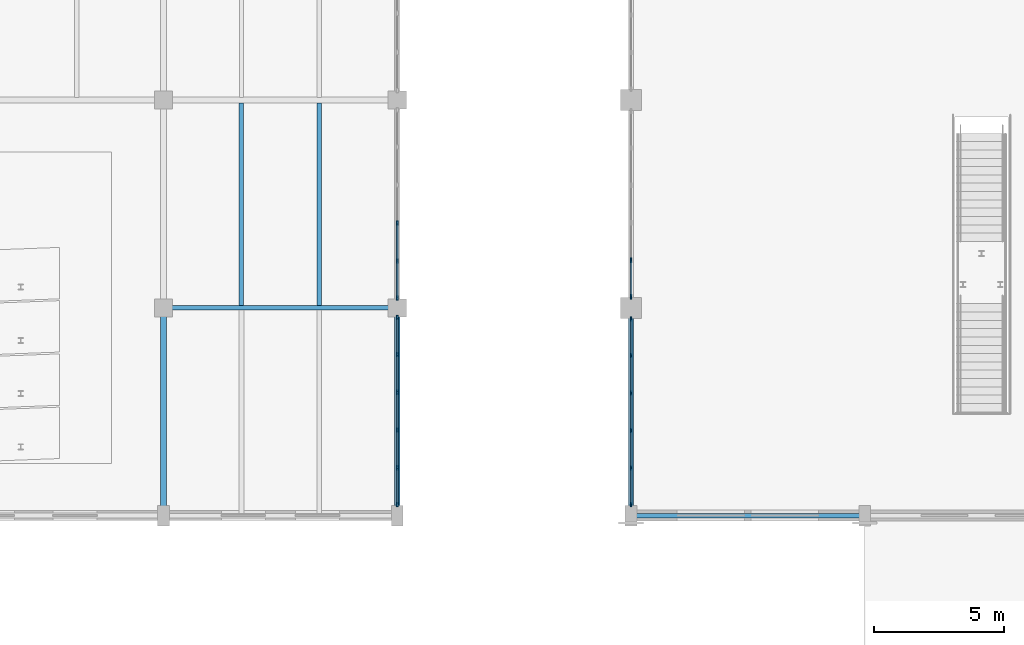
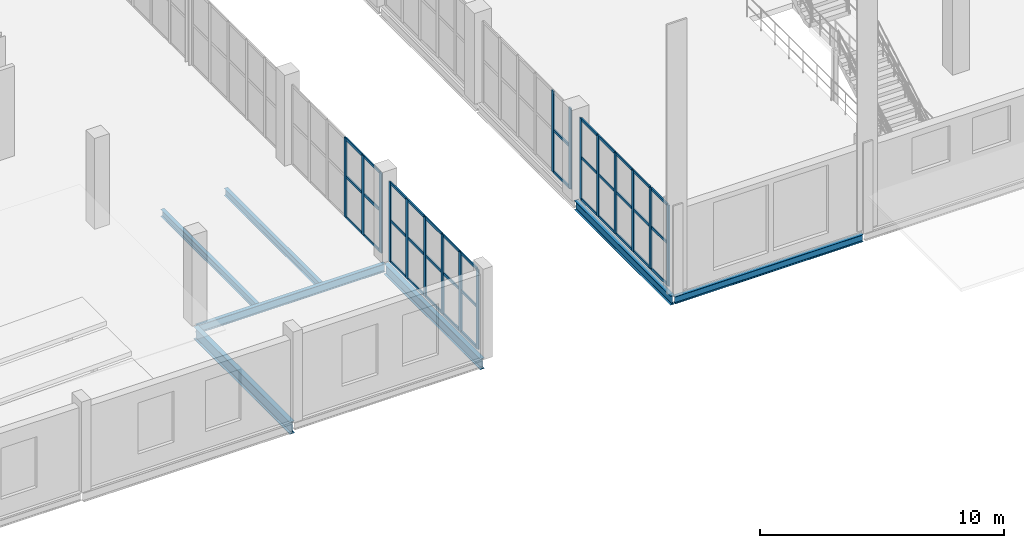
# One storey, part 23 of 93: 55 members, 7 beams, 4 elements without a shape of their own.
"""IFC4 building model written with IfcOpenShell, lengths in metres."""

from ifc_helpers import new_model, si_unit, direction, frame, origin, origin_2d, place, context, subcontext, project, spatial, rectangle, i_section, extrude, material, layer, layer_set, material_profile, profile_set, type_object, element, aggregate, save


model = new_model("IFC4")

# Units and contexts
model_context = context("Model", 3, precision=1e-05, world=origin(), true_north=direction((0.0, 1.0)))
body_context = subcontext(model_context, "Body", "Model", "MODEL_VIEW")
ifc_project = project(units=[si_unit("LENGTHUNIT", "METRE"), si_unit("AREAUNIT", "SQUARE_METRE"), si_unit("VOLUMEUNIT", "CUBIC_METRE"), si_unit("PLANEANGLEUNIT", "RADIAN"), si_unit("MASSUNIT", "GRAM", prefix="KILO")], contexts=[model_context])

# Site, building, storey
site_placement = place(None, origin())
site = spatial("IfcSite", under=ifc_project, at=site_placement, CompositionType="ELEMENT")
building_placement = place(site_placement, origin())
building = spatial("IfcBuilding", under=site, at=building_placement, Name="Marnock Terrace Opera House", CompositionType="ELEMENT")
storey_placement = place(building_placement, frame((0.0, 0.0, 5.39990234375)))
storey = spatial("IfcBuildingStorey", under=building, at=storey_placement, Name="L01", CompositionType="ELEMENT", Elevation=5.39990234375)

# Beams
ifc_material_1 = material(Name="Steel Grade 350 (AS/NZS 3679.1)", Category="steel")
ifc_material_profile_1 = material_profile(ifc_material_1, i_section(OverallWidth=0.177978515625, OverallDepth=0.402587890625, WebThickness=0.007568359375, FlangeThickness=0.010986328125, FilletRadius=0.011474609375, at=origin_2d()))
ifc_profile_set_1 = profile_set([ifc_material_profile_1], Name="Steel Grade 350 (AS/NZS 3679.1)")
beam_type_1 = type_object("IfcBeamType", Name="BM-GIRD-410", PredefinedType="BEAM", material=ifc_profile_set_1)
beam_1_placement = place(storey_placement, frame((37.050048828125, 16.0, -0.481201171875), z_axis=(1.0, 0.0, 0.0), x_axis=(0.0, 1.0, 0.0)))
element("IfcBeam", 1, at=beam_1_placement, inside=storey, type_object=beam_type_1, Name="L01 girder (37.0..46.0, Y=16.0)", PredefinedType="BEAM", context=body_context, shape_type="SweptSolid", body=[
    extrude(i_section(OverallWidth=0.177978515625, OverallDepth=0.402587890625, WebThickness=0.007568359375, FlangeThickness=0.010986328125, FilletRadius=0.011474609375, at=origin_2d()), origin(), (0.0, 0.0, 1.0), 8.89990234375),
])
ifc_material_profile_2 = material_profile(ifc_material_1, i_section(OverallWidth=0.18994140625, OverallDepth=0.45751953125, WebThickness=0.009033203125, FlangeThickness=0.014404296875, FilletRadius=0.011474609375, at=origin_2d()))
ifc_profile_set_2 = profile_set([ifc_material_profile_2], Name="Steel Grade 350 (AS/NZS 3679.1)")
beam_type_2 = type_object("IfcBeamType", Name="BM-GIRD-460B", PredefinedType="BEAM", material=ifc_profile_set_2)
beam_2_placement = place(storey_placement, frame((55.0, 8.050048828125, -0.508544921875), z_axis=(0.0, 1.0, 0.0), x_axis=(-1.0, 0.0, 0.0)))
element("IfcBeam", 2, at=beam_2_placement, inside=storey, type_object=beam_type_2, Name="L01 girder (X=55.0, 8.0..16.0)", PredefinedType="BEAM", context=body_context, shape_type="SweptSolid", body=[
    extrude(i_section(OverallWidth=0.18994140625, OverallDepth=0.45751953125, WebThickness=0.009033203125, FlangeThickness=0.014404296875, FilletRadius=0.011474609375, at=origin_2d()), origin(), (0.0, 0.0, 1.0), 7.89990234375),
])
ifc_material_profile_3 = material_profile(ifc_material_1, i_section(OverallWidth=0.208984375, OverallDepth=0.528076171875, WebThickness=0.009521484375, FlangeThickness=0.01318359375, FilletRadius=0.013916015625, at=origin_2d()))
ifc_profile_set_3 = profile_set([ifc_material_profile_3], Name="Steel Grade 350 (AS/NZS 3679.1)")
beam_type_3 = type_object("IfcBeamType", Name="BM-GIRD-530B", PredefinedType="BEAM", material=ifc_profile_set_3)
beam_3_placement = place(storey_placement, frame((46.0, 8.050048828125, -0.5439453125), z_axis=(0.0, 1.0, 0.0), x_axis=(-1.0, 0.0, 0.0)))
element("IfcBeam", 3, at=beam_3_placement, inside=storey, type_object=beam_type_3, Name="L01 girder (X=46.0, 8.0..16.0)", PredefinedType="BEAM", context=body_context, shape_type="SweptSolid", body=[
    extrude(i_section(OverallWidth=0.208984375, OverallDepth=0.528076171875, WebThickness=0.009521484375, FlangeThickness=0.01318359375, FilletRadius=0.013916015625, at=origin_2d()), origin(), (0.0, 0.0, 1.0), 7.89990234375),
])
ifc_material_profile_4 = material_profile(ifc_material_1, i_section(OverallWidth=0.22802734375, OverallDepth=0.60205078125, WebThickness=0.010498046875, FlangeThickness=0.014892578125, FilletRadius=0.013916015625, at=origin_2d()))
ifc_profile_set_4 = profile_set([ifc_material_profile_4], Name="Steel Grade 350 (AS/NZS 3679.1)")
beam_type_4 = type_object("IfcBeamType", Name="BM-GIRD-610C", PredefinedType="BEAM", material=ifc_profile_set_4)
beam_4_placement = place(storey_placement, frame((37.0, 8.050048828125, -0.580810546875), z_axis=(0.0, 1.0, 0.0), x_axis=(-1.0, 0.0, 0.0)))
element("IfcBeam", 4, at=beam_4_placement, inside=storey, type_object=beam_type_4, Name="L01 girder (X=37.0, 8.0..16.0)", PredefinedType="BEAM", context=body_context, shape_type="SweptSolid", body=[
    extrude(i_section(OverallWidth=0.22802734375, OverallDepth=0.60205078125, WebThickness=0.010498046875, FlangeThickness=0.014892578125, FilletRadius=0.013916015625, at=origin_2d()), origin(), (0.0, 0.0, 1.0), 7.89990234375),
])
ifc_material_profile_5 = material_profile(ifc_material_1, i_section(OverallWidth=0.172119140625, OverallDepth=0.358642578125, WebThickness=0.008056640625, FlangeThickness=0.012939453125, FilletRadius=0.011474609375, at=origin_2d()))
ifc_profile_set_5 = profile_set([ifc_material_profile_5], Name="Steel Grade 350 (AS/NZS 3679.1)")
beam_type_5 = type_object("IfcBeamType", Name="BM-JOIST-360", PredefinedType="JOIST", material=ifc_profile_set_5)
for number, where, z_axis, x_axis, name in (
    (5, (40.0, 16.083984375, -0.459228515625), (0.0, 1.0, 0.0), (-1.0, 0.0, 0.0), "L01 secondary joist 4.2.1"),
    (6, (43.0, 16.083984375, -0.459228515625), (0.0, 1.0, 0.0), (-1.0, 0.0, 0.0), "L01 secondary joist 4.2.2"),
):
    element("IfcBeam", number, at=place(storey_placement, frame(where, z_axis=z_axis, x_axis=x_axis)), inside=storey, type_object=beam_type_5, Name=name, PredefinedType="JOIST", context=body_context, shape_type="SweptSolid", body=[
        extrude(i_section(OverallWidth=0.172119140625, OverallDepth=0.358642578125, WebThickness=0.008056640625, FlangeThickness=0.012939453125, FilletRadius=0.011474609375, at=origin_2d()), origin(), (0.0, 0.0, 1.0), 7.806396484375),
    ])
ifc_material_profile_6 = material_profile(ifc_material_1, i_section(OverallWidth=0.172119140625, OverallDepth=0.358642578125, WebThickness=0.008056640625, FlangeThickness=0.012939453125, FilletRadius=0.011474609375, at=origin_2d()))
ifc_profile_set_6 = profile_set([ifc_material_profile_6], Name="Steel Grade 350 (AS/NZS 3679.1)")
beam_type_6 = type_object("IfcBeamType", Name="BM-SPAN-360", PredefinedType="SPANDREL", material=ifc_profile_set_6)
beam_5_placement = place(storey_placement, frame((55.050048828125, 8.0, -0.459228515625), z_axis=(1.0, 0.0, 0.0), x_axis=(0.0, 1.0, 0.0)))
element("IfcBeam", 7, at=beam_5_placement, inside=storey, type_object=beam_type_6, Name="L01 girder (55.0..64.0, Y=8.0)", PredefinedType="SPANDREL", context=body_context, shape_type="SweptSolid", body=[
    extrude(i_section(OverallWidth=0.172119140625, OverallDepth=0.358642578125, WebThickness=0.008056640625, FlangeThickness=0.012939453125, FilletRadius=0.011474609375, at=origin_2d()), origin(), (0.0, 0.0, 1.0), 8.89990234375),
])

# Curtain wall, members
ifc_material_2 = material(Name="Anodised architectural bronze aluminium framing", Category="aluminium")
ifc_layer_1 = layer(ifc_material_2, 0.159912109375)
ifc_layer_set_1 = layer_set([ifc_layer_1], Name="Anodised architectural bronze aluminium framing")
curtain_wall_type_1 = type_object("IfcCurtainWallType", Name="CW-FOYER-80x45", PredefinedType="NOTDEFINED", material=ifc_layer_set_1)
curtain_wall_1_placement = place(storey_placement, origin())
curtain_wall_1 = element("IfcCurtainWall", 8, at=curtain_wall_1_placement, inside=storey, type_object=curtain_wall_type_1, Name="L01 glazed Beaux-Arts colonnade curtain wall CW-V1W-L01-01", PredefinedType="NOTDEFINED")
ifc_material_profile_7 = material_profile(ifc_material_2, rectangle(XDim=0.06494140625, YDim=0.179931640625, at=origin_2d()))
ifc_profile_set_7 = profile_set([ifc_material_profile_7], Name="Anodised architectural bronze aluminium framing")
member_type_1 = type_object("IfcMemberType", Name="CWM-65x180", PredefinedType="MULLION", material=ifc_profile_set_7)
member_1_placement = place(storey_placement, frame((55.0, 8.426025390625, 0.0), z_axis=(0.0, 0.0, 1.0), x_axis=(-1.0, 0.0, 0.0)))
member_1 = element("IfcMember", 9, at=member_1_placement, type_object=member_type_1, Name="CW-87 mullion 1", PredefinedType="MULLION", context=body_context, shape_type="SweptSolid", body=[
    extrude(rectangle(XDim=0.06494140625, YDim=0.179931640625, at=origin_2d()), origin(), (0.0, 0.0, 1.0), 4.052734375),
])
member_2_placement = place(storey_placement, frame((55.0, 9.837646484375, 0.0), z_axis=(0.0, 0.0, 1.0), x_axis=(-1.0, 0.0, 0.0)))
member_2 = element("IfcMember", 10, at=member_2_placement, type_object=member_type_1, Name="CW-87 mullion 2", PredefinedType="MULLION", context=body_context, shape_type="SweptSolid", body=[
    extrude(rectangle(XDim=0.06494140625, YDim=0.179931640625, at=origin_2d()), origin(), (0.0, 0.0, 1.0), 4.052734375),
])
member_3_placement = place(storey_placement, frame((55.0, 11.279296875, 0.0), z_axis=(0.0, 0.0, 1.0), x_axis=(-1.0, 0.0, 0.0)))
member_3 = element("IfcMember", 11, at=member_3_placement, type_object=member_type_1, Name="CW-87 mullion 3", PredefinedType="MULLION", context=body_context, shape_type="SweptSolid", body=[
    extrude(rectangle(XDim=0.06494140625, YDim=0.179931640625, at=origin_2d()), origin(), (0.0, 0.0, 1.0), 4.052734375),
])
member_4_placement = place(storey_placement, frame((55.0, 12.720703125, 0.0), z_axis=(0.0, 0.0, 1.0), x_axis=(-1.0, 0.0, 0.0)))
member_4 = element("IfcMember", 12, at=member_4_placement, type_object=member_type_1, Name="CW-87 mullion 4", PredefinedType="MULLION", context=body_context, shape_type="SweptSolid", body=[
    extrude(rectangle(XDim=0.06494140625, YDim=0.179931640625, at=origin_2d()), origin(), (0.0, 0.0, 1.0), 4.052734375),
])
member_5_placement = place(storey_placement, frame((55.0, 14.162353515625, 0.0), z_axis=(0.0, 0.0, 1.0), x_axis=(-1.0, 0.0, 0.0)))
member_5 = element("IfcMember", 13, at=member_5_placement, type_object=member_type_1, Name="CW-87 mullion 5", PredefinedType="MULLION", context=body_context, shape_type="SweptSolid", body=[
    extrude(rectangle(XDim=0.06494140625, YDim=0.179931640625, at=origin_2d()), origin(), (0.0, 0.0, 1.0), 4.052734375),
])
member_6_placement = place(storey_placement, frame((55.0, 15.573974609375, 0.0), z_axis=(0.0, 0.0, 1.0), x_axis=(-1.0, 0.0, 0.0)))
member_6 = element("IfcMember", 14, at=member_6_placement, type_object=member_type_1, Name="CW-87 mullion 6", PredefinedType="MULLION", context=body_context, shape_type="SweptSolid", body=[
    extrude(rectangle(XDim=0.06494140625, YDim=0.179931640625, at=origin_2d()), origin(), (0.0, 0.0, 1.0), 4.052734375),
])

curtain_wall_2_placement = place(storey_placement, origin())
curtain_wall_2 = element("IfcCurtainWall", 15, at=curtain_wall_2_placement, inside=storey, type_object=curtain_wall_type_1, Name="L01 glazed Beaux-Arts colonnade curtain wall CW-V1W-L01-02", PredefinedType="NOTDEFINED")
member_7_placement = place(storey_placement, frame((55.0, 16.426025390625, 0.0), z_axis=(0.0, 0.0, 1.0), x_axis=(-1.0, 0.0, 0.0)))
member_7 = element("IfcMember", 16, at=member_7_placement, type_object=member_type_1, Name="CW-87 mullion 1", PredefinedType="MULLION", context=body_context, shape_type="SweptSolid", body=[
    extrude(rectangle(XDim=0.06494140625, YDim=0.179931640625, at=origin_2d()), origin(), (0.0, 0.0, 1.0), 4.052734375),
])
member_8_placement = place(storey_placement, frame((55.0, 17.837646484375, 0.0), z_axis=(0.0, 0.0, 1.0), x_axis=(-1.0, 0.0, 0.0)))
member_8 = element("IfcMember", 17, at=member_8_placement, type_object=member_type_1, Name="CW-87 mullion 2", PredefinedType="MULLION", context=body_context, shape_type="SweptSolid", body=[
    extrude(rectangle(XDim=0.06494140625, YDim=0.179931640625, at=origin_2d()), origin(), (0.0, 0.0, 1.0), 4.052734375),
])

ifc_layer_2 = layer(ifc_material_2, 0.159912109375)
ifc_layer_set_2 = layer_set([ifc_layer_2], Name="Anodised architectural bronze aluminium framing")
curtain_wall_type_2 = type_object("IfcCurtainWallType", Name="CW-COURT-80x45", PredefinedType="NOTDEFINED", material=ifc_layer_set_2)
curtain_wall_3_placement = place(storey_placement, origin())
curtain_wall_3 = element("IfcCurtainWall", 18, at=curtain_wall_3_placement, inside=storey, type_object=curtain_wall_type_2, Name="L01 glazed Beaux-Arts colonnade curtain wall CW-V3E-L01-01", PredefinedType="NOTDEFINED")
member_9_placement = place(storey_placement, frame((46.0, 8.426025390625, 0.0), z_axis=(0.0, 0.0, 1.0), x_axis=(-1.0, 0.0, 0.0)))
member_9 = element("IfcMember", 19, at=member_9_placement, type_object=member_type_1, Name="CW-67 mullion 1", PredefinedType="MULLION", context=body_context, shape_type="SweptSolid", body=[
    extrude(rectangle(XDim=0.06494140625, YDim=0.179931640625, at=origin_2d()), origin(), (0.0, 0.0, 1.0), 3.982177734375),
])
member_10_placement = place(storey_placement, frame((46.0, 9.84765625, 0.0), z_axis=(0.0, 0.0, 1.0), x_axis=(-1.0, 0.0, 0.0)))
member_10 = element("IfcMember", 20, at=member_10_placement, type_object=member_type_1, Name="CW-67 mullion 2", PredefinedType="MULLION", context=body_context, shape_type="SweptSolid", body=[
    extrude(rectangle(XDim=0.06494140625, YDim=0.179931640625, at=origin_2d()), origin(), (0.0, 0.0, 1.0), 3.982177734375),
])
member_11_placement = place(storey_placement, frame((46.0, 11.29931640625, 0.0), z_axis=(0.0, 0.0, 1.0), x_axis=(-1.0, 0.0, 0.0)))
member_11 = element("IfcMember", 21, at=member_11_placement, type_object=member_type_1, Name="CW-67 mullion 3", PredefinedType="MULLION", context=body_context, shape_type="SweptSolid", body=[
    extrude(rectangle(XDim=0.06494140625, YDim=0.179931640625, at=origin_2d()), origin(), (0.0, 0.0, 1.0), 3.982177734375),
])
member_12_placement = place(storey_placement, frame((46.0, 12.750732421875, 0.0), z_axis=(0.0, 0.0, 1.0), x_axis=(-1.0, 0.0, 0.0)))
member_12 = element("IfcMember", 22, at=member_12_placement, type_object=member_type_1, Name="CW-67 mullion 4", PredefinedType="MULLION", context=body_context, shape_type="SweptSolid", body=[
    extrude(rectangle(XDim=0.06494140625, YDim=0.179931640625, at=origin_2d()), origin(), (0.0, 0.0, 1.0), 3.982177734375),
])
member_13_placement = place(storey_placement, frame((46.0, 14.202392578125, 0.0), z_axis=(0.0, 0.0, 1.0), x_axis=(-1.0, 0.0, 0.0)))
member_13 = element("IfcMember", 23, at=member_13_placement, type_object=member_type_1, Name="CW-67 mullion 5", PredefinedType="MULLION", context=body_context, shape_type="SweptSolid", body=[
    extrude(rectangle(XDim=0.06494140625, YDim=0.179931640625, at=origin_2d()), origin(), (0.0, 0.0, 1.0), 3.982177734375),
])
member_14_placement = place(storey_placement, frame((46.0, 15.6240234375, 0.0), z_axis=(0.0, 0.0, 1.0), x_axis=(-1.0, 0.0, 0.0)))
member_14 = element("IfcMember", 24, at=member_14_placement, type_object=member_type_1, Name="CW-67 mullion 6", PredefinedType="MULLION", context=body_context, shape_type="SweptSolid", body=[
    extrude(rectangle(XDim=0.06494140625, YDim=0.179931640625, at=origin_2d()), origin(), (0.0, 0.0, 1.0), 3.982177734375),
])

curtain_wall_4_placement = place(storey_placement, origin())
curtain_wall_4 = element("IfcCurtainWall", 25, at=curtain_wall_4_placement, inside=storey, type_object=curtain_wall_type_2, Name="L01 glazed Beaux-Arts colonnade curtain wall CW-V3E-L01-02", PredefinedType="NOTDEFINED")
member_15_placement = place(storey_placement, frame((46.0, 16.3759765625, 0.0), z_axis=(0.0, 0.0, 1.0), x_axis=(-1.0, 0.0, 0.0)))
member_15 = element("IfcMember", 26, at=member_15_placement, type_object=member_type_1, Name="CW-67 mullion 1", PredefinedType="MULLION", context=body_context, shape_type="SweptSolid", body=[
    extrude(rectangle(XDim=0.06494140625, YDim=0.179931640625, at=origin_2d()), origin(), (0.0, 0.0, 1.0), 3.982177734375),
])
member_16_placement = place(storey_placement, frame((46.0, 17.8076171875, 0.0), z_axis=(0.0, 0.0, 1.0), x_axis=(-1.0, 0.0, 0.0)))
member_16 = element("IfcMember", 27, at=member_16_placement, type_object=member_type_1, Name="CW-67 mullion 2", PredefinedType="MULLION", context=body_context, shape_type="SweptSolid", body=[
    extrude(rectangle(XDim=0.06494140625, YDim=0.179931640625, at=origin_2d()), origin(), (0.0, 0.0, 1.0), 3.982177734375),
])
member_17_placement = place(storey_placement, frame((46.0, 19.269287109375, 0.0), z_axis=(0.0, 0.0, 1.0), x_axis=(-1.0, 0.0, 0.0)))
member_17 = element("IfcMember", 28, at=member_17_placement, type_object=member_type_1, Name="CW-67 mullion 3", PredefinedType="MULLION", context=body_context, shape_type="SweptSolid", body=[
    extrude(rectangle(XDim=0.06494140625, YDim=0.179931640625, at=origin_2d()), origin(), (0.0, 0.0, 1.0), 3.982177734375),
])

# Member
ifc_material_profile_8 = material_profile(ifc_material_2, rectangle(XDim=0.06005859375, YDim=0.1298828125, at=origin_2d()))
ifc_profile_set_8 = profile_set([ifc_material_profile_8], Name="Anodised architectural bronze aluminium framing")
member_type_2 = type_object("IfcMemberType", Name="CWT-60x130", PredefinedType="USERDEFINED", material=ifc_profile_set_8)
member_18_placement = place(storey_placement, frame((55.0, 8.4560546875, 0.030029296875), z_axis=(0.0, 1.0, 0.0), x_axis=(-1.0, 0.0, 0.0)))
member_18 = element("IfcMember", 29, at=member_18_placement, type_object=member_type_2, Name="CW-87 transom 1.1", ObjectType="TRANSOM", PredefinedType="USERDEFINED", context=body_context, shape_type="SweptSolid", body=[
    extrude(rectangle(XDim=0.06005859375, YDim=0.1298828125, at=origin_2d()), origin(), (0.0, 0.0, 1.0), 1.3515625),
])

member_19_placement = place(storey_placement, frame((55.0, 8.4560546875, 2.107421875), z_axis=(0.0, 1.0, 0.0), x_axis=(-1.0, 0.0, 0.0)))
member_19 = element("IfcMember", 30, at=member_19_placement, type_object=member_type_2, Name="CW-87 transom 1.2", ObjectType="TRANSOM", PredefinedType="USERDEFINED", context=body_context, shape_type="SweptSolid", body=[
    extrude(rectangle(XDim=0.06005859375, YDim=0.1298828125, at=origin_2d()), origin(), (0.0, 0.0, 1.0), 1.3515625),
])

member_20_placement = place(storey_placement, frame((55.0, 8.4560546875, 4.022705078125), z_axis=(0.0, 1.0, 0.0), x_axis=(-1.0, 0.0, 0.0)))
member_20 = element("IfcMember", 31, at=member_20_placement, type_object=member_type_2, Name="CW-87 transom 1.3", ObjectType="TRANSOM", PredefinedType="USERDEFINED", context=body_context, shape_type="SweptSolid", body=[
    extrude(rectangle(XDim=0.06005859375, YDim=0.1298828125, at=origin_2d()), origin(), (0.0, 0.0, 1.0), 1.3515625),
])

member_21_placement = place(storey_placement, frame((55.0, 9.86767578125, 0.030029296875), z_axis=(0.0, 1.0, 0.0), x_axis=(-1.0, 0.0, 0.0)))
member_21 = element("IfcMember", 32, at=member_21_placement, type_object=member_type_2, Name="CW-87 transom 2.1", ObjectType="TRANSOM", PredefinedType="USERDEFINED", context=body_context, shape_type="SweptSolid", body=[
    extrude(rectangle(XDim=0.06005859375, YDim=0.1298828125, at=origin_2d()), origin(), (0.0, 0.0, 1.0), 1.381591796875),
])

member_22_placement = place(storey_placement, frame((55.0, 9.86767578125, 2.107421875), z_axis=(0.0, 1.0, 0.0), x_axis=(-1.0, 0.0, 0.0)))
member_22 = element("IfcMember", 33, at=member_22_placement, type_object=member_type_2, Name="CW-87 transom 2.2", ObjectType="TRANSOM", PredefinedType="USERDEFINED", context=body_context, shape_type="SweptSolid", body=[
    extrude(rectangle(XDim=0.06005859375, YDim=0.1298828125, at=origin_2d()), origin(), (0.0, 0.0, 1.0), 1.381591796875),
])

member_23_placement = place(storey_placement, frame((55.0, 9.86767578125, 4.022705078125), z_axis=(0.0, 1.0, 0.0), x_axis=(-1.0, 0.0, 0.0)))
member_23 = element("IfcMember", 34, at=member_23_placement, type_object=member_type_2, Name="CW-87 transom 2.3", ObjectType="TRANSOM", PredefinedType="USERDEFINED", context=body_context, shape_type="SweptSolid", body=[
    extrude(rectangle(XDim=0.06005859375, YDim=0.1298828125, at=origin_2d()), origin(), (0.0, 0.0, 1.0), 1.381591796875),
])

member_24_placement = place(storey_placement, frame((55.0, 11.30908203125, 0.030029296875), z_axis=(0.0, 1.0, 0.0), x_axis=(-1.0, 0.0, 0.0)))
member_24 = element("IfcMember", 35, at=member_24_placement, type_object=member_type_2, Name="CW-87 transom 3.1", ObjectType="TRANSOM", PredefinedType="USERDEFINED", context=body_context, shape_type="SweptSolid", body=[
    extrude(rectangle(XDim=0.06005859375, YDim=0.1298828125, at=origin_2d()), origin(), (0.0, 0.0, 1.0), 1.3818359375),
])

member_25_placement = place(storey_placement, frame((55.0, 11.30908203125, 2.107421875), z_axis=(0.0, 1.0, 0.0), x_axis=(-1.0, 0.0, 0.0)))
member_25 = element("IfcMember", 36, at=member_25_placement, type_object=member_type_2, Name="CW-87 transom 3.2", ObjectType="TRANSOM", PredefinedType="USERDEFINED", context=body_context, shape_type="SweptSolid", body=[
    extrude(rectangle(XDim=0.06005859375, YDim=0.1298828125, at=origin_2d()), origin(), (0.0, 0.0, 1.0), 1.3818359375),
])

member_26_placement = place(storey_placement, frame((55.0, 11.30908203125, 4.022705078125), z_axis=(0.0, 1.0, 0.0), x_axis=(-1.0, 0.0, 0.0)))
member_26 = element("IfcMember", 37, at=member_26_placement, type_object=member_type_2, Name="CW-87 transom 3.3", ObjectType="TRANSOM", PredefinedType="USERDEFINED", context=body_context, shape_type="SweptSolid", body=[
    extrude(rectangle(XDim=0.06005859375, YDim=0.1298828125, at=origin_2d()), origin(), (0.0, 0.0, 1.0), 1.3818359375),
])

member_27_placement = place(storey_placement, frame((55.0, 12.750732421875, 0.030029296875), z_axis=(0.0, 1.0, 0.0), x_axis=(-1.0, 0.0, 0.0)))
member_27 = element("IfcMember", 38, at=member_27_placement, type_object=member_type_2, Name="CW-87 transom 4.1", ObjectType="TRANSOM", PredefinedType="USERDEFINED", context=body_context, shape_type="SweptSolid", body=[
    extrude(rectangle(XDim=0.06005859375, YDim=0.1298828125, at=origin_2d()), origin(), (0.0, 0.0, 1.0), 1.381591796875),
])

member_28_placement = place(storey_placement, frame((55.0, 12.750732421875, 2.107421875), z_axis=(0.0, 1.0, 0.0), x_axis=(-1.0, 0.0, 0.0)))
member_28 = element("IfcMember", 39, at=member_28_placement, type_object=member_type_2, Name="CW-87 transom 4.2", ObjectType="TRANSOM", PredefinedType="USERDEFINED", context=body_context, shape_type="SweptSolid", body=[
    extrude(rectangle(XDim=0.06005859375, YDim=0.1298828125, at=origin_2d()), origin(), (0.0, 0.0, 1.0), 1.381591796875),
])

member_29_placement = place(storey_placement, frame((55.0, 12.750732421875, 4.022705078125), z_axis=(0.0, 1.0, 0.0), x_axis=(-1.0, 0.0, 0.0)))
member_29 = element("IfcMember", 40, at=member_29_placement, type_object=member_type_2, Name="CW-87 transom 4.3", ObjectType="TRANSOM", PredefinedType="USERDEFINED", context=body_context, shape_type="SweptSolid", body=[
    extrude(rectangle(XDim=0.06005859375, YDim=0.1298828125, at=origin_2d()), origin(), (0.0, 0.0, 1.0), 1.381591796875),
])

member_30_placement = place(storey_placement, frame((55.0, 14.1923828125, 0.030029296875), z_axis=(0.0, 1.0, 0.0), x_axis=(-1.0, 0.0, 0.0)))
member_30 = element("IfcMember", 41, at=member_30_placement, type_object=member_type_2, Name="CW-87 transom 5.1", ObjectType="TRANSOM", PredefinedType="USERDEFINED", context=body_context, shape_type="SweptSolid", body=[
    extrude(rectangle(XDim=0.06005859375, YDim=0.1298828125, at=origin_2d()), origin(), (0.0, 0.0, 1.0), 1.3515625),
])

member_31_placement = place(storey_placement, frame((55.0, 14.1923828125, 2.107421875), z_axis=(0.0, 1.0, 0.0), x_axis=(-1.0, 0.0, 0.0)))
member_31 = element("IfcMember", 42, at=member_31_placement, type_object=member_type_2, Name="CW-87 transom 5.2", ObjectType="TRANSOM", PredefinedType="USERDEFINED", context=body_context, shape_type="SweptSolid", body=[
    extrude(rectangle(XDim=0.06005859375, YDim=0.1298828125, at=origin_2d()), origin(), (0.0, 0.0, 1.0), 1.3515625),
])

member_32_placement = place(storey_placement, frame((55.0, 14.1923828125, 4.022705078125), z_axis=(0.0, 1.0, 0.0), x_axis=(-1.0, 0.0, 0.0)))
member_32 = element("IfcMember", 43, at=member_32_placement, type_object=member_type_2, Name="CW-87 transom 5.3", ObjectType="TRANSOM", PredefinedType="USERDEFINED", context=body_context, shape_type="SweptSolid", body=[
    extrude(rectangle(XDim=0.06005859375, YDim=0.1298828125, at=origin_2d()), origin(), (0.0, 0.0, 1.0), 1.3515625),
])

aggregate(curtain_wall_1, [member_1, member_2, member_3, member_4, member_5, member_6, member_18, member_19, member_20, member_21, member_22, member_23, member_24, member_25, member_26, member_27, member_28, member_29, member_30, member_31, member_32])

member_33_placement = place(storey_placement, frame((55.0, 16.4560546875, 0.030029296875), z_axis=(0.0, 1.0, 0.0), x_axis=(-1.0, 0.0, 0.0)))
member_33 = element("IfcMember", 44, at=member_33_placement, type_object=member_type_2, Name="CW-87 transom 1.1", ObjectType="TRANSOM", PredefinedType="USERDEFINED", context=body_context, shape_type="SweptSolid", body=[
    extrude(rectangle(XDim=0.06005859375, YDim=0.1298828125, at=origin_2d()), origin(), (0.0, 0.0, 1.0), 1.3515625),
])

member_34_placement = place(storey_placement, frame((55.0, 16.4560546875, 2.107421875), z_axis=(0.0, 1.0, 0.0), x_axis=(-1.0, 0.0, 0.0)))
member_34 = element("IfcMember", 45, at=member_34_placement, type_object=member_type_2, Name="CW-87 transom 1.2", ObjectType="TRANSOM", PredefinedType="USERDEFINED", context=body_context, shape_type="SweptSolid", body=[
    extrude(rectangle(XDim=0.06005859375, YDim=0.1298828125, at=origin_2d()), origin(), (0.0, 0.0, 1.0), 1.3515625),
])

aggregate(curtain_wall_2, [member_7, member_8, member_33, member_34])

member_35_placement = place(storey_placement, frame((46.0, 8.4560546875, 0.030029296875), z_axis=(0.0, 1.0, 0.0), x_axis=(-1.0, 0.0, 0.0)))
member_35 = element("IfcMember", 46, at=member_35_placement, type_object=member_type_2, Name="CW-67 transom 1.1", ObjectType="TRANSOM", PredefinedType="USERDEFINED", context=body_context, shape_type="SweptSolid", body=[
    extrude(rectangle(XDim=0.06005859375, YDim=0.1298828125, at=origin_2d()), origin(), (0.0, 0.0, 1.0), 1.361572265625),
])

member_36_placement = place(storey_placement, frame((46.0, 8.4560546875, 2.07080078125), z_axis=(0.0, 1.0, 0.0), x_axis=(-1.0, 0.0, 0.0)))
member_36 = element("IfcMember", 47, at=member_36_placement, type_object=member_type_2, Name="CW-67 transom 1.2", ObjectType="TRANSOM", PredefinedType="USERDEFINED", context=body_context, shape_type="SweptSolid", body=[
    extrude(rectangle(XDim=0.06005859375, YDim=0.1298828125, at=origin_2d()), origin(), (0.0, 0.0, 1.0), 1.361572265625),
])

member_37_placement = place(storey_placement, frame((46.0, 8.4560546875, 3.9521484375), z_axis=(0.0, 1.0, 0.0), x_axis=(-1.0, 0.0, 0.0)))
member_37 = element("IfcMember", 48, at=member_37_placement, type_object=member_type_2, Name="CW-67 transom 1.3", ObjectType="TRANSOM", PredefinedType="USERDEFINED", context=body_context, shape_type="SweptSolid", body=[
    extrude(rectangle(XDim=0.06005859375, YDim=0.1298828125, at=origin_2d()), origin(), (0.0, 0.0, 1.0), 1.361572265625),
])

member_38_placement = place(storey_placement, frame((46.0, 9.877685546875, 0.030029296875), z_axis=(0.0, 1.0, 0.0), x_axis=(-1.0, 0.0, 0.0)))
member_38 = element("IfcMember", 49, at=member_38_placement, type_object=member_type_2, Name="CW-67 transom 2.1", ObjectType="TRANSOM", PredefinedType="USERDEFINED", context=body_context, shape_type="SweptSolid", body=[
    extrude(rectangle(XDim=0.06005859375, YDim=0.1298828125, at=origin_2d()), origin(), (0.0, 0.0, 1.0), 1.3916015625),
])

member_39_placement = place(storey_placement, frame((46.0, 9.877685546875, 2.07080078125), z_axis=(0.0, 1.0, 0.0), x_axis=(-1.0, 0.0, 0.0)))
member_39 = element("IfcMember", 50, at=member_39_placement, type_object=member_type_2, Name="CW-67 transom 2.2", ObjectType="TRANSOM", PredefinedType="USERDEFINED", context=body_context, shape_type="SweptSolid", body=[
    extrude(rectangle(XDim=0.06005859375, YDim=0.1298828125, at=origin_2d()), origin(), (0.0, 0.0, 1.0), 1.3916015625),
])

member_40_placement = place(storey_placement, frame((46.0, 9.877685546875, 3.9521484375), z_axis=(0.0, 1.0, 0.0), x_axis=(-1.0, 0.0, 0.0)))
member_40 = element("IfcMember", 51, at=member_40_placement, type_object=member_type_2, Name="CW-67 transom 2.3", ObjectType="TRANSOM", PredefinedType="USERDEFINED", context=body_context, shape_type="SweptSolid", body=[
    extrude(rectangle(XDim=0.06005859375, YDim=0.1298828125, at=origin_2d()), origin(), (0.0, 0.0, 1.0), 1.3916015625),
])

member_41_placement = place(storey_placement, frame((46.0, 11.3291015625, 0.030029296875), z_axis=(0.0, 1.0, 0.0), x_axis=(-1.0, 0.0, 0.0)))
member_41 = element("IfcMember", 52, at=member_41_placement, type_object=member_type_2, Name="CW-67 transom 3.1", ObjectType="TRANSOM", PredefinedType="USERDEFINED", context=body_context, shape_type="SweptSolid", body=[
    extrude(rectangle(XDim=0.06005859375, YDim=0.1298828125, at=origin_2d()), origin(), (0.0, 0.0, 1.0), 1.3916015625),
])

member_42_placement = place(storey_placement, frame((46.0, 11.3291015625, 2.07080078125), z_axis=(0.0, 1.0, 0.0), x_axis=(-1.0, 0.0, 0.0)))
member_42 = element("IfcMember", 53, at=member_42_placement, type_object=member_type_2, Name="CW-67 transom 3.2", ObjectType="TRANSOM", PredefinedType="USERDEFINED", context=body_context, shape_type="SweptSolid", body=[
    extrude(rectangle(XDim=0.06005859375, YDim=0.1298828125, at=origin_2d()), origin(), (0.0, 0.0, 1.0), 1.3916015625),
])

member_43_placement = place(storey_placement, frame((46.0, 11.3291015625, 3.9521484375), z_axis=(0.0, 1.0, 0.0), x_axis=(-1.0, 0.0, 0.0)))
member_43 = element("IfcMember", 54, at=member_43_placement, type_object=member_type_2, Name="CW-67 transom 3.3", ObjectType="TRANSOM", PredefinedType="USERDEFINED", context=body_context, shape_type="SweptSolid", body=[
    extrude(rectangle(XDim=0.06005859375, YDim=0.1298828125, at=origin_2d()), origin(), (0.0, 0.0, 1.0), 1.3916015625),
])

member_44_placement = place(storey_placement, frame((46.0, 12.78076171875, 0.030029296875), z_axis=(0.0, 1.0, 0.0), x_axis=(-1.0, 0.0, 0.0)))
member_44 = element("IfcMember", 55, at=member_44_placement, type_object=member_type_2, Name="CW-67 transom 4.1", ObjectType="TRANSOM", PredefinedType="USERDEFINED", context=body_context, shape_type="SweptSolid", body=[
    extrude(rectangle(XDim=0.06005859375, YDim=0.1298828125, at=origin_2d()), origin(), (0.0, 0.0, 1.0), 1.3916015625),
])

member_45_placement = place(storey_placement, frame((46.0, 12.78076171875, 2.07080078125), z_axis=(0.0, 1.0, 0.0), x_axis=(-1.0, 0.0, 0.0)))
member_45 = element("IfcMember", 56, at=member_45_placement, type_object=member_type_2, Name="CW-67 transom 4.2", ObjectType="TRANSOM", PredefinedType="USERDEFINED", context=body_context, shape_type="SweptSolid", body=[
    extrude(rectangle(XDim=0.06005859375, YDim=0.1298828125, at=origin_2d()), origin(), (0.0, 0.0, 1.0), 1.3916015625),
])

member_46_placement = place(storey_placement, frame((46.0, 12.78076171875, 3.9521484375), z_axis=(0.0, 1.0, 0.0), x_axis=(-1.0, 0.0, 0.0)))
member_46 = element("IfcMember", 57, at=member_46_placement, type_object=member_type_2, Name="CW-67 transom 4.3", ObjectType="TRANSOM", PredefinedType="USERDEFINED", context=body_context, shape_type="SweptSolid", body=[
    extrude(rectangle(XDim=0.06005859375, YDim=0.1298828125, at=origin_2d()), origin(), (0.0, 0.0, 1.0), 1.3916015625),
])

member_47_placement = place(storey_placement, frame((46.0, 14.232421875, 0.030029296875), z_axis=(0.0, 1.0, 0.0), x_axis=(-1.0, 0.0, 0.0)))
member_47 = element("IfcMember", 58, at=member_47_placement, type_object=member_type_2, Name="CW-67 transom 5.1", ObjectType="TRANSOM", PredefinedType="USERDEFINED", context=body_context, shape_type="SweptSolid", body=[
    extrude(rectangle(XDim=0.06005859375, YDim=0.1298828125, at=origin_2d()), origin(), (0.0, 0.0, 1.0), 1.361572265625),
])

member_48_placement = place(storey_placement, frame((46.0, 14.232421875, 2.07080078125), z_axis=(0.0, 1.0, 0.0), x_axis=(-1.0, 0.0, 0.0)))
member_48 = element("IfcMember", 59, at=member_48_placement, type_object=member_type_2, Name="CW-67 transom 5.2", ObjectType="TRANSOM", PredefinedType="USERDEFINED", context=body_context, shape_type="SweptSolid", body=[
    extrude(rectangle(XDim=0.06005859375, YDim=0.1298828125, at=origin_2d()), origin(), (0.0, 0.0, 1.0), 1.361572265625),
])

member_49_placement = place(storey_placement, frame((46.0, 14.232421875, 3.9521484375), z_axis=(0.0, 1.0, 0.0), x_axis=(-1.0, 0.0, 0.0)))
member_49 = element("IfcMember", 60, at=member_49_placement, type_object=member_type_2, Name="CW-67 transom 5.3", ObjectType="TRANSOM", PredefinedType="USERDEFINED", context=body_context, shape_type="SweptSolid", body=[
    extrude(rectangle(XDim=0.06005859375, YDim=0.1298828125, at=origin_2d()), origin(), (0.0, 0.0, 1.0), 1.361572265625),
])

aggregate(curtain_wall_3, [member_9, member_10, member_11, member_12, member_13, member_14, member_35, member_36, member_37, member_38, member_39, member_40, member_41, member_42, member_43, member_44, member_45, member_46, member_47, member_48, member_49])

member_50_placement = place(storey_placement, frame((46.0, 16.406005859375, 0.030029296875), z_axis=(0.0, 1.0, 0.0), x_axis=(-1.0, 0.0, 0.0)))
member_50 = element("IfcMember", 61, at=member_50_placement, type_object=member_type_2, Name="CW-67 transom 1.1", ObjectType="TRANSOM", PredefinedType="USERDEFINED", context=body_context, shape_type="SweptSolid", body=[
    extrude(rectangle(XDim=0.06005859375, YDim=0.1298828125, at=origin_2d()), origin(), (0.0, 0.0, 1.0), 1.37158203125),
])

member_51_placement = place(storey_placement, frame((46.0, 16.406005859375, 2.07080078125), z_axis=(0.0, 1.0, 0.0), x_axis=(-1.0, 0.0, 0.0)))
member_51 = element("IfcMember", 62, at=member_51_placement, type_object=member_type_2, Name="CW-67 transom 1.2", ObjectType="TRANSOM", PredefinedType="USERDEFINED", context=body_context, shape_type="SweptSolid", body=[
    extrude(rectangle(XDim=0.06005859375, YDim=0.1298828125, at=origin_2d()), origin(), (0.0, 0.0, 1.0), 1.37158203125),
])

member_52_placement = place(storey_placement, frame((46.0, 16.406005859375, 3.9521484375), z_axis=(0.0, 1.0, 0.0), x_axis=(-1.0, 0.0, 0.0)))
member_52 = element("IfcMember", 63, at=member_52_placement, type_object=member_type_2, Name="CW-67 transom 1.3", ObjectType="TRANSOM", PredefinedType="USERDEFINED", context=body_context, shape_type="SweptSolid", body=[
    extrude(rectangle(XDim=0.06005859375, YDim=0.1298828125, at=origin_2d()), origin(), (0.0, 0.0, 1.0), 1.37158203125),
])

member_53_placement = place(storey_placement, frame((46.0, 17.837646484375, 0.030029296875), z_axis=(0.0, 1.0, 0.0), x_axis=(-1.0, 0.0, 0.0)))
member_53 = element("IfcMember", 64, at=member_53_placement, type_object=member_type_2, Name="CW-67 transom 2.1", ObjectType="TRANSOM", PredefinedType="USERDEFINED", context=body_context, shape_type="SweptSolid", body=[
    extrude(rectangle(XDim=0.06005859375, YDim=0.1298828125, at=origin_2d()), origin(), (0.0, 0.0, 1.0), 1.401611328125),
])

member_54_placement = place(storey_placement, frame((46.0, 17.837646484375, 2.07080078125), z_axis=(0.0, 1.0, 0.0), x_axis=(-1.0, 0.0, 0.0)))
member_54 = element("IfcMember", 65, at=member_54_placement, type_object=member_type_2, Name="CW-67 transom 2.2", ObjectType="TRANSOM", PredefinedType="USERDEFINED", context=body_context, shape_type="SweptSolid", body=[
    extrude(rectangle(XDim=0.06005859375, YDim=0.1298828125, at=origin_2d()), origin(), (0.0, 0.0, 1.0), 1.401611328125),
])

member_55_placement = place(storey_placement, frame((46.0, 17.837646484375, 3.9521484375), z_axis=(0.0, 1.0, 0.0), x_axis=(-1.0, 0.0, 0.0)))
member_55 = element("IfcMember", 66, at=member_55_placement, type_object=member_type_2, Name="CW-67 transom 2.3", ObjectType="TRANSOM", PredefinedType="USERDEFINED", context=body_context, shape_type="SweptSolid", body=[
    extrude(rectangle(XDim=0.06005859375, YDim=0.1298828125, at=origin_2d()), origin(), (0.0, 0.0, 1.0), 1.401611328125),
])

aggregate(curtain_wall_4, [member_15, member_16, member_17, member_50, member_51, member_52, member_53, member_54, member_55])

save(model, "model.ifc")
